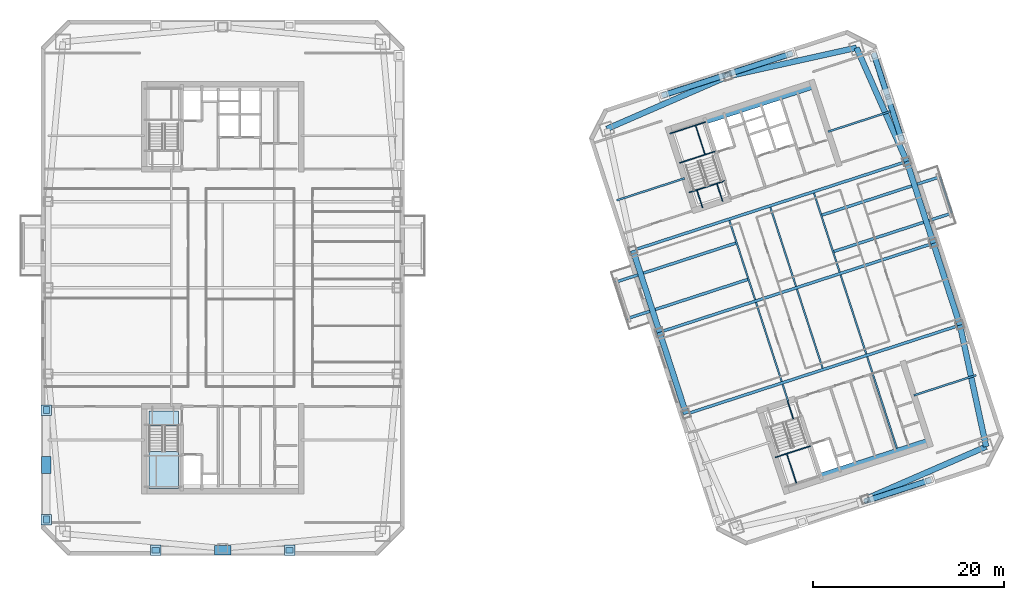
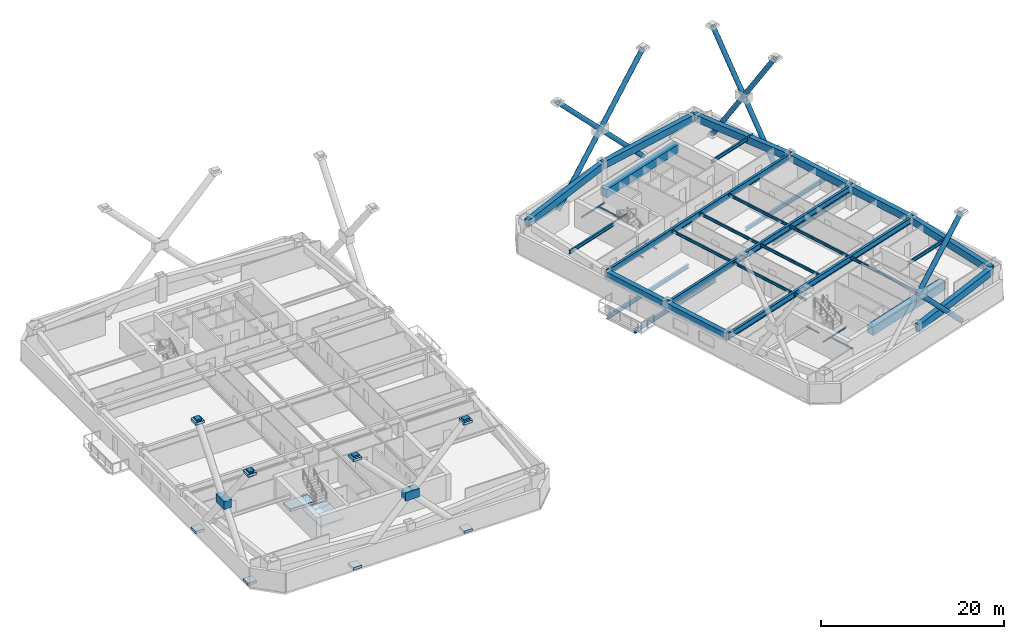
# One storey, part 4 of 17: 39 beams, 14 plates, 10 members, 2 slabs, 1 element without a shape of its own.
"""IFC4 building model written with IfcOpenShell, lengths in metres."""

import ifcopenshell
import ifcopenshell.guid

model = None  # the IFC model being written
_history = None  # IfcOwnerHistory: only IFC2X3 demands one
_inside = {}  # id of a spatial element -> (the spatial element, [elements in it])
_under = {}  # id of a project, library or spatial element -> (it, [spatial elements below it])
_declared = {}  # id of a project -> (the project, [libraries it declares])
_typed = {}  # id of a type object -> (the type object, [elements of that type])
_made_of = {}  # id of a material, layer set ... -> (it, [elements and type objects made of it])


def new_model(schema):
    """Start an empty IFC model of exactly this schema.

    Asked for "IFC4X3", IfcOpenShell would pick the latest addendum, in which some entities
    have other attributes; the version numbers below select the first issue.
    IFC2X3 requires an IfcOwnerHistory on every rooted entity: one is made here for all.
    """
    global model, _history
    if schema == "IFC4X3":
        model = ifcopenshell.file(schema_version=(4, 3, 0, 0))
    else:
        model = ifcopenshell.file(schema=schema)
    _inside.clear()
    _under.clear()
    _declared.clear()
    _typed.clear()
    _made_of.clear()
    _history = None
    if model.schema == "IFC2X3":
        org = make("IfcOrganization", Name="unknown")
        user = make(
            "IfcPersonAndOrganization",
            ThePerson=make("IfcPerson", FamilyName="unknown"),
            TheOrganization=org,
        )
        app = make(
            "IfcApplication",
            ApplicationDeveloper=org,
            Version="unknown",
            ApplicationFullName="unknown",
            ApplicationIdentifier="unknown",
        )
        _history = make(
            "IfcOwnerHistory",
            OwningUser=user,
            OwningApplication=app,
            ChangeAction="ADDED",
            CreationDate=0,
        )
    return model


def make(cls, **values):
    """One entity of the class cls with the attributes given. An attribute that is None is left unset."""
    return model.create_entity(
        cls, **{name: value for name, value in values.items() if value is not None}
    )


def rooted(cls, **values):
    """An entity with a GlobalId (a new one), such as an element, a storey or a relation."""
    return make(cls, GlobalId=ifcopenshell.guid.new(), OwnerHistory=_history, **values)


def si_unit(unit_type, name, prefix=None):
    """IfcSIUnit, for example si_unit("LENGTHUNIT", "METRE", prefix="MILLI")."""
    return make("IfcSIUnit", UnitType=unit_type, Prefix=prefix, Name=name)


def assignment(units):
    """IfcUnitAssignment: the units of a project."""
    return None if units is None else make("IfcUnitAssignment", Units=units)


def point(xyz):
    """IfcCartesianPoint."""
    return None if xyz is None else make("IfcCartesianPoint", Coordinates=xyz)


def direction(xyz):
    """IfcDirection."""
    return None if xyz is None else make("IfcDirection", DirectionRatios=xyz)


def frame(location, z_axis=None, x_axis=None):
    """IfcAxis2Placement3D, a coordinate frame: its origin and axes. An axis left out is left unset."""
    return make(
        "IfcAxis2Placement3D",
        Location=point(location),
        Axis=direction(z_axis),
        RefDirection=direction(x_axis),
    )


def frame_2d(location, x_axis=None):
    """IfcAxis2Placement2D, a coordinate frame in the plane: its origin and x axis."""
    return make(
        "IfcAxis2Placement2D", Location=point(location), RefDirection=direction(x_axis)
    )


def origin():
    """The frame at (0, 0, 0) with its axes left unset."""
    return frame((0.0, 0.0, 0.0))


def origin_2d():
    """The frame at (0, 0) in the plane with its x axis left unset."""
    return frame_2d((0.0, 0.0))


def place(relative_to, where):
    """IfcLocalPlacement: puts the frame where relative to a parent placement (None: the world)."""
    return make(
        "IfcLocalPlacement", PlacementRelTo=relative_to, RelativePlacement=where
    )


def context(
    kind, dimensions, precision=None, world=None, true_north=None, identifier=None
):
    """IfcGeometricRepresentationContext, for example the 3D "Model" context."""
    return make(
        "IfcGeometricRepresentationContext",
        ContextIdentifier=identifier,
        ContextType=kind,
        CoordinateSpaceDimension=dimensions,
        Precision=precision,
        WorldCoordinateSystem=world,
        TrueNorth=true_north,
    )


def subcontext(parent, identifier, kind, view, scale=None):
    """IfcGeometricRepresentationSubContext, for example "Body" below "Model"."""
    return make(
        "IfcGeometricRepresentationSubContext",
        ContextIdentifier=identifier,
        ContextType=kind,
        ParentContext=parent,
        TargetScale=scale,
        TargetView=view,
    )


def project(units=None, contexts=None):
    """IfcProject with its units and contexts."""
    return rooted(
        "IfcProject",
        Name="project",
        RepresentationContexts=contexts,
        UnitsInContext=assignment(units),
    )


def spatial(cls, under=None, at=None, **own):
    """A site, building, storey or space (cls), placed at a placement, below another one or the project."""
    s = rooted(cls, ObjectPlacement=at, **own)
    if under is not None:
        _under.setdefault(under.id(), (under, []))[1].append(s)
    return s


def polyline(points):
    """IfcPolyline through the points."""
    return make("IfcPolyline", Points=[point(p) for p in points])


def profile(cls, at=None, kind="AREA", **sizes):
    """A parametric profile (cls). Its sizes go by their IFC names, for example OverallWidth=200.0."""
    return make(cls, ProfileType=kind, Position=at, **sizes)


def rectangle(**sizes):
    """IfcRectangleProfileDef."""
    return profile("IfcRectangleProfileDef", **sizes)


def hollow_circle(**sizes):
    """IfcCircleHollowProfileDef."""
    return profile("IfcCircleHollowProfileDef", **sizes)


def i_section(**sizes):
    """IfcIShapeProfileDef."""
    return profile("IfcIShapeProfileDef", **sizes)


def outline(outer, holes=None, kind="AREA"):
    """IfcArbitraryClosedProfileDef: a profile drawn as a closed curve; with holes, ...WithVoids."""
    if holes is None:
        return make("IfcArbitraryClosedProfileDef", ProfileType=kind, OuterCurve=outer)
    return make(
        "IfcArbitraryProfileDefWithVoids",
        ProfileType=kind,
        OuterCurve=outer,
        InnerCurves=holes,
    )


def extrude(swept, where, along, depth):
    """IfcExtrudedAreaSolid: the profile swept, set in the frame where, extruded along a direction by depth."""
    return make(
        "IfcExtrudedAreaSolid",
        SweptArea=swept,
        Position=where,
        ExtrudedDirection=direction(along),
        Depth=depth,
    )


def shape(context_of_items, identifier, shape_type, items):
    """IfcShapeRepresentation: the items that make up one representation, for example the "Body"."""
    return make(
        "IfcShapeRepresentation",
        ContextOfItems=context_of_items,
        RepresentationIdentifier=identifier,
        RepresentationType=shape_type,
        Items=items,
    )


def material(Name=None, Category=None):
    """IfcMaterial."""
    return make("IfcMaterial", Name=Name, Category=Category)


def layer(
    of_material, thickness, ventilated=None, Name=None, Category=None, Priority=None
):
    """IfcMaterialLayer: one layer of a wall or slab, of a material (None: an air gap)."""
    return make(
        "IfcMaterialLayer",
        Material=of_material,
        LayerThickness=thickness,
        IsVentilated=ventilated,
        Name=Name,
        Category=Category,
        Priority=Priority,
    )


def layer_set(layers, Name=None):
    """IfcMaterialLayerSet."""
    return make("IfcMaterialLayerSet", MaterialLayers=layers, LayerSetName=Name)


def material_profile(
    of_material, cross_section, Name=None, Category=None, Priority=None
):
    """IfcMaterialProfile: a cross section and its material."""
    return make(
        "IfcMaterialProfile",
        Name=Name,
        Material=of_material,
        Profile=cross_section,
        Priority=Priority,
        Category=Category,
    )


def profile_set(profiles, Name=None, composite=None):
    """IfcMaterialProfileSet."""
    return make(
        "IfcMaterialProfileSet",
        Name=Name,
        MaterialProfiles=profiles,
        CompositeProfile=composite,
    )


def made_of(thing, what):
    """Note that an element or type object is made of a material, layer set ...; save() writes the relation."""
    if what is not None:
        _made_of.setdefault(what.id(), (what, []))[1].append(thing)
    return thing


def type_object(cls, material=None, **own):
    """A type object (cls), such as IfcWallType, which elements share."""
    return made_of(rooted(cls, **own), material)


def element(
    cls,
    number,
    at=None,
    inside=None,
    cuts=None,
    type_object=None,
    material=None,
    context=None,
    identifier="Body",
    shape_type=None,
    held_by="IfcProductDefinitionShape",
    body=None,
    shapes=None,
    **own,
):
    """One element of the class cls, such as IfcWall. Its Tag is "e" and its number.

    at: its placement. inside: the storey or other place that contains it. cuts: it is an
    opening in that element (IfcRelVoidsElement). A single representation is given by context,
    identifier, shape_type and body (its items); several are given by shapes. held_by: the class
    of the entity that holds the representations. save() writes the other relations.
    """
    e = rooted(cls, Tag="e%d" % number, ObjectPlacement=at, **own)
    if body is not None:
        shapes = [shape(context, identifier, shape_type, body)]
    if shapes is not None:
        e.Representation = make(held_by, Representations=shapes)
    if inside is not None:
        _inside.setdefault(inside.id(), (inside, []))[1].append(e)
    if cuts is not None:
        rooted(
            "IfcRelVoidsElement", RelatingBuildingElement=cuts, RelatedOpeningElement=e
        )
    if type_object is not None:
        _typed.setdefault(type_object.id(), (type_object, []))[1].append(e)
    return made_of(e, material)


def aggregate(whole, parts):
    """IfcRelAggregates: a whole, such as a stair, and the parts it consists of."""
    return rooted("IfcRelAggregates", RelatingObject=whole, RelatedObjects=parts)


def save(model, path):
    """Write the relations noted so far, then the file.

    IfcRelAggregates (storeys below a building ...), IfcRelContainedInSpatialStructure (elements
    in a storey), IfcRelDefinesByType, IfcRelAssociatesMaterial and IfcRelDeclares: one each for
    every whole, place, type object, material and project.
    """
    for whole, parts in _under.values():
        aggregate(whole, parts)
    for where, things in _inside.values():
        rooted(
            "IfcRelContainedInSpatialStructure",
            RelatedElements=things,
            RelatingStructure=where,
        )
    for kind, things in _typed.values():
        rooted("IfcRelDefinesByType", RelatedObjects=things, RelatingType=kind)
    for what, things in _made_of.values():
        rooted("IfcRelAssociatesMaterial", RelatedObjects=things, RelatingMaterial=what)
    for by, libraries in _declared.values():
        rooted("IfcRelDeclares", RelatingContext=by, RelatedDefinitions=libraries)
    model.write(path)


model = new_model("IFC4")

# Units and contexts
model_context = context("Model", 3, precision=1e-05, world=origin(), true_north=direction((0.0, 1.0)))
body_context = subcontext(model_context, "Body", "Model", "MODEL_VIEW")
ifc_project = project(units=[si_unit("LENGTHUNIT", "METRE"), si_unit("AREAUNIT", "SQUARE_METRE"), si_unit("VOLUMEUNIT", "CUBIC_METRE"), si_unit("PLANEANGLEUNIT", "RADIAN"), si_unit("MASSUNIT", "GRAM", prefix="KILO")], contexts=[model_context])

# Site, building, storey
site_placement = place(None, origin())
site = spatial("IfcSite", under=ifc_project, at=site_placement, CompositionType="ELEMENT")
building_placement = place(site_placement, origin())
building = spatial("IfcBuilding", under=site, at=building_placement, Name="Qiaolan Cultural Towers", CompositionType="ELEMENT")
storey_placement = place(building_placement, frame((0.0, 0.0, 134.550048828125)))
storey = spatial("IfcBuildingStorey", under=building, at=storey_placement, Name="L35", CompositionType="ELEMENT", Elevation=134.550048828125)

# Beams
ifc_material_1 = material(Name="Steel Q355B", Category="steel")
ifc_material_profile_1 = material_profile(ifc_material_1, i_section(OverallWidth=0.300048828125, OverallDepth=0.488037109375, WebThickness=0.010986328125, FlangeThickness=0.01806640625, at=origin_2d()), Name="HM488x300x11x18")
ifc_profile_set_1 = profile_set([ifc_material_profile_1], Name="Steel Q355B")
beam_type_1 = type_object("IfcBeamType", Name="BM-HM488x300x11x18", PredefinedType="BEAM", material=ifc_profile_set_1)
for number, where, z_axis, x_axis, name in (
    (1, (84.978515625, 34.891845703125, -0.524169921875), (-0.951058928428, -0.309009570496, 0.0), (0.309009570496, -0.951058928428, 0.0), "L35 T2 Tree Balcony Back-Spanned Bracket Beam"),
    (2, (83.742431640625, 38.6962890625, -0.524169921875), (-0.951053553769, -0.309026111943, 0.0), (0.309026111943, -0.951053553769, 0.0), "L35 T2 Tree Balcony Back-Spanned Bracket Beam"),
):
    element("IfcBeam", number, at=place(storey_placement, frame(where, z_axis=z_axis, x_axis=x_axis)), inside=storey, type_object=beam_type_1, Name=name, PredefinedType="BEAM", context=body_context, shape_type="SweptSolid", body=[
        extrude(i_section(OverallWidth=0.300048828125, OverallDepth=0.488037109375, WebThickness=0.010986328125, FlangeThickness=0.01806640625, at=origin_2d()), origin(), (0.0, 0.0, 1.0), 13.349853515625),
    ])
for number, where, z_axis, x_axis, name in (
    (3, (93.823486328125, 37.765869140625, -0.524169921875), (0.951054414178, 0.309023463951, 0.0), (-0.309023463951, 0.951054414178, 0.0), "L35 T2 Tree Balcony Back-Spanned Bracket Beam"),
    (4, (92.58740234375, 41.570068359375, -0.524169921875), (0.951054414178, 0.309023463951, 0.0), (-0.309023463951, 0.951054414178, 0.0), "L35 T2 Tree Balcony Back-Spanned Bracket Beam"),
):
    element("IfcBeam", number, at=place(storey_placement, frame(where, z_axis=z_axis, x_axis=x_axis)), inside=storey, type_object=beam_type_1, Name=name, PredefinedType="BEAM", context=body_context, shape_type="SweptSolid", body=[
        extrude(i_section(OverallWidth=0.300048828125, OverallDepth=0.488037109375, WebThickness=0.010986328125, FlangeThickness=0.01806640625, at=origin_2d()), origin(), (0.0, 0.0, 1.0), 13.0498046875),
    ])
ifc_material_2 = material(Name="Steel Q355B", Category="steel")
ifc_material_profile_2 = material_profile(ifc_material_2, i_section(OverallWidth=0.300048828125, OverallDepth=0.800048828125, WebThickness=0.013916015625, FlangeThickness=0.02587890625, at=origin_2d()), Name="HN800x300x14x26")
ifc_profile_set_2 = profile_set([ifc_material_profile_2], Name="Steel Q355B")
beam_type_2 = type_object("IfcBeamType", Name="BM-HN800x300x14x26", PredefinedType="BEAM", material=ifc_profile_set_2)
beam_1_placement = place(storey_placement, frame((78.4677734375, 20.789794921875, 2.77001953125), z_axis=(0.951055226628, 0.309020963535, 0.0), x_axis=(-0.309020963535, 0.951055226628, 0.0)))
element("IfcBeam", 5, at=beam_1_placement, inside=storey, type_object=beam_type_2, Name="L35 T2 Primary Transverse Girder V1", PredefinedType="BEAM", context=body_context, shape_type="SweptSolid", body=[
    extrude(i_section(OverallWidth=0.300048828125, OverallDepth=0.800048828125, WebThickness=0.013916015625, FlangeThickness=0.02587890625, at=origin_2d()), origin(), (0.0, 0.0, 1.0), 30.099853515625),
])
beam_2_placement = place(storey_placement, frame((75.6865234375, 29.349365234375, 2.77001953125), z_axis=(0.951058384903, 0.309011243331, 0.0), x_axis=(-0.309011243331, 0.951058384903, 0.0)))
element("IfcBeam", 6, at=beam_2_placement, inside=storey, type_object=beam_type_2, Name="L35 T2 Primary Transverse Girder V2", PredefinedType="BEAM", context=body_context, shape_type="SweptSolid", body=[
    extrude(i_section(OverallWidth=0.300048828125, OverallDepth=0.800048828125, WebThickness=0.013916015625, FlangeThickness=0.02587890625, at=origin_2d()), origin(), (0.0, 0.0, 1.0), 30.10009765625),
])
beam_3_placement = place(storey_placement, frame((72.905517578125, 37.90869140625, 2.77001953125), z_axis=(0.951055226628, 0.309020963535, 0.0), x_axis=(-0.309020963535, 0.951055226628, 0.0)))
element("IfcBeam", 7, at=beam_3_placement, inside=storey, type_object=beam_type_2, Name="L35 T2 Primary Transverse Girder V3", PredefinedType="BEAM", context=body_context, shape_type="SweptSolid", body=[
    extrude(i_section(OverallWidth=0.300048828125, OverallDepth=0.800048828125, WebThickness=0.013916015625, FlangeThickness=0.02587890625, at=origin_2d()), origin(), (0.0, 0.0, 1.0), 30.099853515625),
])
ifc_material_3 = material(Name="Steel Q355B", Category="steel")
ifc_material_profile_3 = material_profile(ifc_material_3, i_section(OverallWidth=0.175048828125, OverallDepth=0.35009765625, WebThickness=0.007080078125, FlangeThickness=0.010986328125, at=origin_2d()), Name="HN350x175x7x11")
ifc_profile_set_3 = profile_set([ifc_material_profile_3], Name="Steel Q355B")
beam_type_3 = type_object("IfcBeamType", Name="BM-JST-HN350x175x7x11", PredefinedType="JOIST", material=ifc_profile_set_3)
beam_4_placement = place(storey_placement, frame((106.234619140625, 41.798583984375, -0.524169921875), z_axis=(-0.309022586479, 0.951054699292, 0.0), x_axis=(-0.951054699292, -0.309022586479, 0.0)))
element("IfcBeam", 8, at=beam_4_placement, inside=storey, type_object=beam_type_3, Name="L35 T2 Tree Balcony Outer Edge Beam", PredefinedType="JOIST", context=body_context, shape_type="SweptSolid", body=[
    extrude(i_section(OverallWidth=0.175048828125, OverallDepth=0.35009765625, WebThickness=0.007080078125, FlangeThickness=0.010986328125, at=origin_2d()), origin(), (0.0, 0.0, 1.0), 4.0),
])
beam_5_placement = place(storey_placement, frame((89.119384765625, 22.147705078125, 2.994873046875), z_axis=(-0.308933885266, 0.951083516067, 0.0), x_axis=(-0.951083516067, -0.308933885266, 0.0)))
element("IfcBeam", 9, at=beam_5_placement, inside=storey, type_object=beam_type_3, Name="L35 T2 Secondary Floor Joist U1-1", PredefinedType="JOIST", context=body_context, shape_type="SweptSolid", body=[
    extrude(i_section(OverallWidth=0.175048828125, OverallDepth=0.35009765625, WebThickness=0.007080078125, FlangeThickness=0.010986328125, at=origin_2d()), origin(), (0.0, 0.0, 1.0), 1.85009765625),
])
for number, where, z_axis, x_axis, name in (
    (10, (88.455078125, 24.192626953125, 2.994873046875), (-0.309020714809, 0.951055307445, 0.0), (-0.951055307445, -0.309020714809, 0.0), "L35 T2 Secondary Floor Joist U1-2"),
    (11, (85.673828125, 32.752197265625, 2.994873046875), (-0.309020714809, 0.951055307445, 0.0), (-0.951055307445, -0.309020714809, 0.0), "L35 T2 Secondary Floor Joist U1-3"),
    (12, (92.73486328125, 25.583251953125, 2.994873046875), (-0.309020714809, 0.951055307445, 0.0), (-0.951055307445, -0.309020714809, 0.0), "L35 T2 Secondary Floor Joist U2-2"),
    (13, (89.95361328125, 34.142578125, 2.994873046875), (-0.309020714809, 0.951055307445, 0.0), (-0.951055307445, -0.309020714809, 0.0), "L35 T2 Secondary Floor Joist U2-3"),
):
    element("IfcBeam", number, at=place(storey_placement, frame(where, z_axis=z_axis, x_axis=x_axis)), inside=storey, type_object=beam_type_3, Name=name, PredefinedType="JOIST", context=body_context, shape_type="SweptSolid", body=[
        extrude(i_section(OverallWidth=0.175048828125, OverallDepth=0.35009765625, WebThickness=0.007080078125, FlangeThickness=0.010986328125, at=origin_2d()), origin(), (0.0, 0.0, 1.0), 8.699951171875),
    ])
beam_6_placement = place(storey_placement, frame((100.498291015625, 17.222900390625, 2.994873046875), z_axis=(-0.309025649293, 0.951053704098, 0.0), x_axis=(-0.951053704098, -0.309025649293, 0.0)))
element("IfcBeam", 14, at=beam_6_placement, inside=storey, type_object=beam_type_3, Name="L35 T2 Secondary Floor Joist U3-1", PredefinedType="JOIST", context=body_context, shape_type="SweptSolid", body=[
    extrude(i_section(OverallWidth=0.175048828125, OverallDepth=0.35009765625, WebThickness=0.007080078125, FlangeThickness=0.010986328125, at=origin_2d()), origin(), (0.0, 0.0, 1.0), 10.050048828125),
])
for number, where, z_axis, x_axis, name in (
    (15, (97.2998046875, 27.06640625, 2.994873046875), (-0.309020714809, 0.951055307445, 0.0), (-0.951055307445, -0.309020714809, 0.0), "L35 T2 Secondary Floor Joist U3-2"),
    (16, (94.518798828125, 35.6259765625, 2.994873046875), (-0.309020714809, 0.951055307445, 0.0), (-0.951055307445, -0.309020714809, 0.0), "L35 T2 Secondary Floor Joist U3-3"),
):
    element("IfcBeam", number, at=place(storey_placement, frame(where, z_axis=z_axis, x_axis=x_axis)), inside=storey, type_object=beam_type_3, Name=name, PredefinedType="JOIST", context=body_context, shape_type="SweptSolid", body=[
        extrude(i_section(OverallWidth=0.175048828125, OverallDepth=0.35009765625, WebThickness=0.007080078125, FlangeThickness=0.010986328125, at=origin_2d()), origin(), (0.0, 0.0, 1.0), 8.699951171875),
    ])
ifc_material_4 = material(Name="Steel Q355B", Category="steel")
ifc_material_profile_4 = material_profile(ifc_material_4, i_section(OverallWidth=0.199951171875, OverallDepth=0.449951171875, WebThickness=0.009033203125, FlangeThickness=0.013916015625, at=origin_2d()), Name="HN450x200x9x14")
ifc_profile_set_4 = profile_set([ifc_material_profile_4], Name="Steel Q355B")
beam_type_4 = type_object("IfcBeamType", Name="BM-LNT-HN450x200x9x14", PredefinedType="LINTEL", material=ifc_profile_set_4)
beam_7_placement = place(storey_placement, frame((78.291259765625, 45.44189453125, 2.945068359375), z_axis=(-0.951054777171, -0.309022346796, 0.0), x_axis=(0.309022346796, -0.951054777171, 0.0)))
element("IfcBeam", 17, at=beam_7_placement, inside=storey, type_object=beam_type_4, Name="L35 T2 Core Flank Tie Lintel WN", PredefinedType="LINTEL", context=body_context, shape_type="SweptSolid", body=[
    extrude(i_section(OverallWidth=0.199951171875, OverallDepth=0.449951171875, WebThickness=0.009033203125, FlangeThickness=0.013916015625, at=origin_2d()), origin(), (0.0, 0.0, 1.0), 7.4501953125),
])
for number, where, z_axis, x_axis, name in (
    (18, (102.279296875, 22.74365234375, 2.945068359375), (0.951061565824, 0.30900145309, 0.0), (-0.30900145309, 0.951061565824, 0.0), "L35 T2 Core Flank Tie Lintel ES"),
    (19, (93.31787109375, 50.32421875, 2.945068359375), (0.951061565824, 0.30900145309, 0.0), (-0.30900145309, 0.951061565824, 0.0), "L35 T2 Core Flank Tie Lintel EN"),
):
    element("IfcBeam", number, at=place(storey_placement, frame(where, z_axis=z_axis, x_axis=x_axis)), inside=storey, type_object=beam_type_4, Name=name, PredefinedType="LINTEL", context=body_context, shape_type="SweptSolid", body=[
        extrude(i_section(OverallWidth=0.199951171875, OverallDepth=0.449951171875, WebThickness=0.009033203125, FlangeThickness=0.013916015625, at=origin_2d()), origin(), (0.0, 0.0, 1.0), 6.85009765625),
    ])
ifc_material_5 = material(Name="Concrete C50", Category="concrete")
ifc_material_profile_5 = material_profile(ifc_material_5, rectangle(XDim=0.89990234375, YDim=1.10009765625, at=origin_2d()), Name="RC900x1100")
ifc_profile_set_5 = profile_set([ifc_material_profile_5], Name="Concrete C50")
beam_type_5 = type_object("IfcBeamType", Name="BM-RC900x1100", PredefinedType="BEAM", material=ifc_profile_set_5)
for number, where, z_axis, x_axis, name in (
    (20, (92.572265625, 14.174560546875, 2.619873046875), (0.951056266386, 0.309017763514, 0.0), (-0.309017763514, 0.951056266386, 0.0), "L35 T2 Core Header Girder S"),
    (21, (80.427978515625, 51.551025390625, 2.619873046875), (0.951056266386, 0.309017763514, 0.0), (-0.309017763514, 0.951056266386, 0.0), "L35 T2 Core Header Girder N"),
):
    element("IfcBeam", number, at=place(storey_placement, frame(where, z_axis=z_axis, x_axis=x_axis)), inside=storey, type_object=beam_type_5, Name=name, PredefinedType="BEAM", context=body_context, shape_type="SweptSolid", body=[
        extrude(rectangle(XDim=0.89990234375, YDim=1.10009765625, at=origin_2d()), origin(), (0.0, 0.0, 1.0), 11.880126953125),
    ])
ifc_material_6 = material(Name="Concrete C50", Category="concrete")
ifc_material_profile_6 = material_profile(ifc_material_6, rectangle(XDim=0.60009765625, YDim=0.949951171875, at=origin_2d()), Name="RC600x950")
ifc_profile_set_6 = profile_set([ifc_material_profile_6], Name="Concrete C50")
beam_type_6 = type_object("IfcBeamType", Name="BM-SPD-RC600x950", PredefinedType="SPANDREL", material=ifc_profile_set_6)
beam_8_placement = place(storey_placement, frame((97.1845703125, 11.887939453125, 2.695068359375), z_axis=(0.917117043091, 0.398618024268, 0.0), x_axis=(-0.398618024268, 0.917117043091, 0.0)))
element("IfcBeam", 22, at=beam_8_placement, inside=storey, type_object=beam_type_6, Name="L35 T2 Perimeter Spandrel Beam 2", PredefinedType="SPANDREL", context=body_context, shape_type="SweptSolid", body=[
    extrude(rectangle(XDim=0.60009765625, YDim=0.949951171875, at=origin_2d()), origin(), (0.0, 0.0, 1.0), 13.79345703125),
])
beam_9_placement = place(storey_placement, frame((109.834716796875, 17.38623046875, 2.695068359375), z_axis=(-0.210832241173, 0.977522258612, 0.0), x_axis=(-0.977522258612, -0.210832241173, 0.0)))
element("IfcBeam", 23, at=beam_9_placement, inside=storey, type_object=beam_type_6, Name="L35 T2 Perimeter Spandrel Beam 3", PredefinedType="SPANDREL", context=body_context, shape_type="SweptSolid", body=[
    extrude(rectangle(XDim=0.60009765625, YDim=0.949951171875, at=origin_2d()), origin(), (0.0, 0.0, 1.0), 12.997314453125),
])
beam_10_placement = place(storey_placement, frame((107.094482421875, 30.09130859375, 2.695068359375), z_axis=(-0.309008170129, 0.951059383421, 0.0), x_axis=(-0.951059383421, -0.309008170129, 0.0)))
element("IfcBeam", 24, at=beam_10_placement, inside=storey, type_object=beam_type_6, Name="L35 T2 Perimeter Spandrel Beam 4", PredefinedType="SPANDREL", context=body_context, shape_type="SweptSolid", body=[
    extrude(rectangle(XDim=0.60009765625, YDim=0.949951171875, at=origin_2d()), origin(), (0.0, 0.0, 1.0), 8.999755859375),
])
beam_11_placement = place(storey_placement, frame((104.3134765625, 38.650634765625, 2.695068359375), z_axis=(-0.309024734286, 0.951054001411, 0.0), x_axis=(-0.951054001411, -0.309024734286, 0.0)))
element("IfcBeam", 25, at=beam_11_placement, inside=storey, type_object=beam_type_6, Name="L35 T2 Perimeter Spandrel Beam 5", PredefinedType="SPANDREL", context=body_context, shape_type="SweptSolid", body=[
    extrude(rectangle(XDim=0.60009765625, YDim=0.949951171875, at=origin_2d()), origin(), (0.0, 0.0, 1.0), 9.0),
])
beam_12_placement = place(storey_placement, frame((101.5322265625, 47.210205078125, 2.695068359375), z_axis=(-0.404011070002, 0.914754095545, 0.0), x_axis=(-0.914754095545, -0.404011070002, 0.0)))
element("IfcBeam", 26, at=beam_12_placement, inside=storey, type_object=beam_type_6, Name="L35 T2 Perimeter Spandrel Beam 6", PredefinedType="SPANDREL", context=body_context, shape_type="SweptSolid", body=[
    extrude(rectangle(XDim=0.60009765625, YDim=0.949951171875, at=origin_2d()), origin(), (0.0, 0.0, 1.0), 12.9970703125),
])
beam_13_placement = place(storey_placement, frame((96.28125, 59.099365234375, 2.695068359375), z_axis=(-0.976265293399, -0.216578108094, 0.0), x_axis=(0.216578108094, -0.976265293399, 0.0)))
element("IfcBeam", 27, at=beam_13_placement, inside=storey, type_object=beam_type_6, Name="L35 T2 Perimeter Spandrel Beam 7", PredefinedType="SPANDREL", context=body_context, shape_type="SweptSolid", body=[
    extrude(rectangle(XDim=0.60009765625, YDim=0.949951171875, at=origin_2d()), origin(), (0.0, 0.0, 1.0), 13.793212890625),
])
beam_14_placement = place(storey_placement, frame((82.8154296875, 56.112060546875, 2.695068359375), z_axis=(-0.917117043091, -0.398618024268, 0.0), x_axis=(0.398618024268, -0.917117043091, 0.0)))
element("IfcBeam", 28, at=beam_14_placement, inside=storey, type_object=beam_type_6, Name="L35 T2 Perimeter Spandrel Beam 8", PredefinedType="SPANDREL", context=body_context, shape_type="SweptSolid", body=[
    extrude(rectangle(XDim=0.60009765625, YDim=0.949951171875, at=origin_2d()), origin(), (0.0, 0.0, 1.0), 13.79345703125),
])
beam_15_placement = place(storey_placement, frame((72.905517578125, 37.90869140625, 2.695068359375), z_axis=(0.309008170129, -0.951059383421, 0.0), x_axis=(0.951059383421, 0.309008170129, 0.0)))
element("IfcBeam", 29, at=beam_15_placement, inside=storey, type_object=beam_type_6, Name="L35 T2 Perimeter Spandrel Beam 10", PredefinedType="SPANDREL", context=body_context, shape_type="SweptSolid", body=[
    extrude(rectangle(XDim=0.60009765625, YDim=0.949951171875, at=origin_2d()), origin(), (0.0, 0.0, 1.0), 8.999755859375),
])
beam_16_placement = place(storey_placement, frame((75.6865234375, 29.349365234375, 2.695068359375), z_axis=(0.309024734286, -0.951054001411, 0.0), x_axis=(0.951054001411, 0.309024734286, 0.0)))
element("IfcBeam", 30, at=beam_16_placement, inside=storey, type_object=beam_type_6, Name="L35 T2 Perimeter Spandrel Beam 11", PredefinedType="SPANDREL", context=body_context, shape_type="SweptSolid", body=[
    extrude(rectangle(XDim=0.60009765625, YDim=0.949951171875, at=origin_2d()), origin(), (0.0, 0.0, 1.0), 9.0),
])
ifc_material_7 = material(Name="Steel Q355B", Category="steel")
ifc_material_profile_7 = material_profile(ifc_material_7, i_section(OverallWidth=0.10009765625, OverallDepth=0.199951171875, WebThickness=0.005615234375, FlangeThickness=0.008056640625, at=origin_2d()), Name="HN200x100x5.5x8")
ifc_profile_set_7 = profile_set([ifc_material_profile_7], Name="Steel Q355B")
beam_type_7 = type_object("IfcBeamType", Name="BM-STTRIM-200", PredefinedType="BEAM", material=ifc_profile_set_7)
beam_17_placement = place(storey_placement, frame((89.07177734375, 22.13232421875, -0.4599609375), z_axis=(0.309083226701, -0.951034993558, 0.0), x_axis=(0.951034993558, 0.309083226701, 0.0)))
element("IfcBeam", 31, at=beam_17_placement, inside=storey, type_object=beam_type_7, Name="L35 ST-E1 Floor Landing Stringer 2", PredefinedType="BEAM", context=body_context, shape_type="SweptSolid", body=[
    extrude(i_section(OverallWidth=0.10009765625, OverallDepth=0.199951171875, WebThickness=0.005615234375, FlangeThickness=0.008056640625, at=origin_2d()), origin(), (0.0, 0.0, 1.0), 1.93994140625),
])
beam_18_placement = place(storey_placement, frame((87.774658203125, 16.255126953125, 1.425048828125), z_axis=(0.951047798727, 0.309043823005, 0.0), x_axis=(-0.309043823005, 0.951047798727, 0.0)))
element("IfcBeam", 32, at=beam_18_placement, inside=storey, type_object=beam_type_7, Name="L35 ST-E1 Stair Landing Support Beam 1-1", PredefinedType="BEAM", context=body_context, shape_type="SweptSolid", body=[
    extrude(i_section(OverallWidth=0.10009765625, OverallDepth=0.199951171875, WebThickness=0.005615234375, FlangeThickness=0.008056640625, at=origin_2d()), origin(), (0.0, 0.0, 1.0), 3.919921875),
])
beam_19_placement = place(storey_placement, frame((88.982421875, 16.6474609375, 1.425048828125), z_axis=(0.309033108495, -0.951051280349, 0.0), x_axis=(0.951051280349, 0.309033108495, 0.0)))
element("IfcBeam", 33, at=beam_19_placement, inside=storey, type_object=beam_type_7, Name="L35 ST-E1 Stair Landing Trimmer 1", PredefinedType="BEAM", context=body_context, shape_type="SweptSolid", body=[
    extrude(i_section(OverallWidth=0.10009765625, OverallDepth=0.199951171875, WebThickness=0.005615234375, FlangeThickness=0.008056640625, at=origin_2d()), origin(), (0.0, 0.0, 1.0), 3.231201171875),
])
beam_20_placement = place(storey_placement, frame((78.773193359375, 43.958251953125, -0.4599609375), z_axis=(0.951072048947, 0.3089691857, 0.0), x_axis=(-0.3089691857, 0.951072048947, 0.0)))
element("IfcBeam", 34, at=beam_20_placement, inside=storey, type_object=beam_type_7, Name="L35 ST-E2 Floor Landing Header Beam", PredefinedType="BEAM", context=body_context, shape_type="SweptSolid", body=[
    extrude(i_section(OverallWidth=0.10009765625, OverallDepth=0.199951171875, WebThickness=0.005615234375, FlangeThickness=0.008056640625, at=origin_2d()), origin(), (0.0, 0.0, 1.0), 3.920166015625),
])
for number, where, z_axis, x_axis, name in (
    (35, (80.18115234375, 42.375732421875, -0.4599609375), (-0.308969394428, 0.951071981138, 0.0), (-0.951071981138, -0.308969394428, 0.0), "L35 ST-E2 Floor Landing Stringer 1"),
    (36, (82.2734375, 43.0556640625, -0.4599609375), (-0.308969394428, 0.951071981138, 0.0), (-0.951071981138, -0.308969394428, 0.0), "L35 ST-E2 Floor Landing Stringer 2"),
):
    element("IfcBeam", number, at=place(storey_placement, frame(where, z_axis=z_axis, x_axis=x_axis)), inside=storey, type_object=beam_type_7, Name=name, PredefinedType="BEAM", context=body_context, shape_type="SweptSolid", body=[
        extrude(i_section(OverallWidth=0.10009765625, OverallDepth=0.199951171875, WebThickness=0.005615234375, FlangeThickness=0.008056640625, at=origin_2d()), origin(), (0.0, 0.0, 1.0), 1.93994140625),
    ])
for number, where, z_axis, x_axis, name in (
    (37, (77.769287109375, 47.0478515625, 1.425048828125), (0.951053746643, 0.309025518358, 0.0), (-0.309025518358, 0.951053746643, 0.0), "L35 ST-E2 Stair Landing Support Beam 1-1"),
    (38, (76.770751953125, 50.12109375, 1.425048828125), (0.951072048947, 0.3089691857, 0.0), (-0.3089691857, 0.951072048947, 0.0), "L35 ST-E2 Stair Landing Support Beam 1-2"),
):
    element("IfcBeam", number, at=place(storey_placement, frame(where, z_axis=z_axis, x_axis=x_axis)), inside=storey, type_object=beam_type_7, Name=name, PredefinedType="BEAM", context=body_context, shape_type="SweptSolid", body=[
        extrude(i_section(OverallWidth=0.10009765625, OverallDepth=0.199951171875, WebThickness=0.005615234375, FlangeThickness=0.008056640625, at=origin_2d()), origin(), (0.0, 0.0, 1.0), 3.920166015625),
    ])
beam_21_placement = place(storey_placement, frame((80.44189453125, 47.916259765625, 1.425048828125), z_axis=(-0.309033108495, 0.951051280349, 0.0), x_axis=(-0.951051280349, -0.309033108495, 0.0)))
element("IfcBeam", 39, at=beam_21_placement, inside=storey, type_object=beam_type_7, Name="L35 ST-E2 Stair Landing Trimmer 1", PredefinedType="BEAM", context=body_context, shape_type="SweptSolid", body=[
    extrude(i_section(OverallWidth=0.10009765625, OverallDepth=0.199951171875, WebThickness=0.005615234375, FlangeThickness=0.008056640625, at=origin_2d()), origin(), (0.0, 0.0, 1.0), 3.231201171875),
])

# Members
ifc_material_8 = material(Name="Steel Q355B", Category="steel")
ifc_material_profile_8 = material_profile(ifc_material_8, hollow_circle(Radius=0.300048828125, WallThickness=0.030029296875, at=origin_2d()), Name="CHS600x30")
ifc_profile_set_8 = profile_set([ifc_material_profile_8], Name="Steel Q355B")
member_type = type_object("IfcMemberType", Name="MBR-BRC-CHS600x30", PredefinedType="BRACE", material=ifc_profile_set_8)
for number, where, z_axis, x_axis, name in (
    (40, (100.980712890625, 49.554443359375, 0.14990234375), (-0.166193246914, 0.511497049821, 0.843060242631), (-0.951057728941, -0.309013262209, 0.0), "T2 EAST Perimeter Frame Diagonal E-Z3-M1-D1A"),
    (41, (99.551513671875, 53.953125, 7.39990234375), (-0.166193246914, 0.511497049821, 0.843060242631), (-0.951057728941, -0.309013262209, 0.0), "T2 EAST Perimeter Frame Diagonal E-Z3-M1-D1B"),
    (42, (98.122314453125, 58.351806640625, 0.14990234375), (0.166193246914, -0.511497049821, 0.843060242631), (0.951057728941, 0.309013262209, 0.0), "T2 EAST Perimeter Frame Diagonal E-Z3-M1-D2A"),
    (43, (99.551513671875, 53.953125, 7.39990234375), (0.166193246914, -0.511497049821, 0.843060242631), (0.951057728941, 0.309013262209, 0.0), "T2 EAST Perimeter Frame Diagonal E-Z3-M1-D2B"),
):
    element("IfcMember", number, at=place(storey_placement, frame(where, z_axis=z_axis, x_axis=x_axis)), inside=storey, type_object=member_type, Name=name, PredefinedType="BRACE", context=body_context, shape_type="SweptSolid", body=[
        extrude(hollow_circle(Radius=0.300048828125, WallThickness=0.030029296875, at=origin_2d()), origin(), (0.0, 0.0, 1.0), 8.599609375),
    ])
for number, where, z_axis, x_axis, name in (
    (44, (97.246337890625, 11.69775390625, 7.39990234375), (0.660603302436, 0.214637326619, 0.719398425653), (-0.309009574742, 0.951058927048, 0.0), "T2 SOUTH Perimeter Frame Diagonal E-Z3-M1-D1B"),
    (45, (103.90380859375, 13.86083984375, 0.14990234375), (-0.660603302436, -0.214637326619, 0.719398425653), (0.309009574742, -0.951058927048, 0.0), "T2 SOUTH Perimeter Frame Diagonal E-Z3-M1-D2A"),
    (46, (76.09619140625, 54.13916015625, 0.14990234375), (0.660603302436, 0.214637326619, 0.719398425653), (-0.309009574742, 0.951058927048, 0.0), "T2 NORTH Perimeter Frame Diagonal E-Z3-M1-D1A"),
):
    element("IfcMember", number, at=place(storey_placement, frame(where, z_axis=z_axis, x_axis=x_axis)), inside=storey, type_object=member_type, Name=name, PredefinedType="BRACE", context=body_context, shape_type="SweptSolid", body=[
        extrude(hollow_circle(Radius=0.300048828125, WallThickness=0.030029296875, at=origin_2d()), origin(), (0.0, 0.0, 1.0), 10.077880859375),
    ])
for number, where, z_axis, x_axis, name in (
    (47, (82.753662109375, 56.30224609375, 7.39990234375), (0.660589648575, 0.214640761566, 0.71940993854), (-0.309019824916, 0.951055596592, 0.0), "T2 NORTH Perimeter Frame Diagonal E-Z3-M1-D1B"),
    (48, (89.410888671875, 58.46533203125, 0.14990234375), (-0.660589648575, -0.214640761566, 0.71940993854), (0.309019824916, -0.951055596592, 0.0), "T2 NORTH Perimeter Frame Diagonal E-Z3-M1-D2A"),
):
    element("IfcMember", number, at=place(storey_placement, frame(where, z_axis=z_axis, x_axis=x_axis)), inside=storey, type_object=member_type, Name=name, PredefinedType="BRACE", context=body_context, shape_type="SweptSolid", body=[
        extrude(hollow_circle(Radius=0.300048828125, WallThickness=0.030029296875, at=origin_2d()), origin(), (0.0, 0.0, 1.0), 10.07763671875),
    ])
member_placement = place(storey_placement, frame((82.753662109375, 56.30224609375, 7.39990234375), z_axis=(-0.660603302436, -0.214637326619, 0.719398425653), x_axis=(0.309009574742, -0.951058927048, 0.0)))
element("IfcMember", 49, at=member_placement, inside=storey, type_object=member_type, Name="T2 NORTH Perimeter Frame Diagonal E-Z3-M1-D2B", PredefinedType="BRACE", context=body_context, shape_type="SweptSolid", body=[
    extrude(hollow_circle(Radius=0.300048828125, WallThickness=0.030029296875, at=origin_2d()), origin(), (0.0, 0.0, 1.0), 10.077880859375),
])

# Plates
ifc_material_9 = material(Name="Steel Q355B", Category="steel")
ifc_layer_1 = layer(ifc_material_9, 0.035888671875)
ifc_layer_set_1 = layer_set([ifc_layer_1], Name="Steel Q355B")
plate_type_1 = type_object("IfcPlateType", Name="PL-CONN-36", PredefinedType="USERDEFINED", material=ifc_layer_set_1)
for number, where, z_axis, x_axis, name in (
    (50, (11.550048828125, 21.199951171875, 14.27978515625), (0.0, 0.0, 1.0), (0.0, 1.0, 0.0), "L35 Brace End Connection Gusset Plate GP-02-0284"),
    (51, (11.550048828125, 9.75, 14.27978515625), (0.0, 0.0, 1.0), (0.0, 1.0, 0.0), "L35 Brace End Connection Gusset Plate GP-02-0285"),
    (52, (37.0, 6.550048828125, 14.27978515625), (0.0, 0.0, 1.0), (1.0, 0.0, 0.0), "L35 Brace End Connection Gusset Plate GP-02-0288"),
    (53, (23.0, 6.550048828125, 14.27978515625), (0.0, 0.0, 1.0), (1.0, 0.0, 0.0), "L35 Brace End Connection Gusset Plate GP-02-0289"),
):
    element("IfcPlate", number, at=place(storey_placement, frame(where, z_axis=z_axis, x_axis=x_axis)), inside=storey, type_object=plate_type_1, Name=name, ObjectType="GUSSET_PLATE", PredefinedType="USERDEFINED", context=body_context, shape_type="SweptSolid", body=[
        extrude(rectangle(XDim=0.739990234375, YDim=0.6201171875, at=origin_2d()), origin(), (0.0, 0.0, 1.0), 0.739990234375),
    ])
ifc_material_10 = material(Name="Steel Q355B", Category="steel")
ifc_layer_2 = layer(ifc_material_10, 0.030029296875)
ifc_layer_set_2 = layer_set([ifc_layer_2], Name="Steel Q355B")
plate_type_2 = type_object("IfcPlateType", Name="PL-ENDCAP-30", PredefinedType="USERDEFINED", material=ifc_layer_set_2)
for number, where, z_axis, x_axis, name in (
    (54, (11.550048828125, 9.75, -0.025146484375), (0.0, 0.0, 1.0), (0.0, 1.0, 0.0), "Hollow Brace End Seal Cap Plate CP-01"),
    (55, (11.550048828125, 21.199951171875, -0.025146484375), (0.0, 0.0, 1.0), (0.0, 1.0, 0.0), "Hollow Brace End Seal Cap Plate CP-01"),
    (56, (11.550048828125, 9.75, 14.474853515625), (0.0, 0.0, 1.0), (0.0, 1.0, 0.0), "Hollow Brace End Seal Cap Plate CP-01"),
    (57, (11.550048828125, 21.199951171875, 14.474853515625), (0.0, 0.0, 1.0), (0.0, 1.0, 0.0), "Hollow Brace End Seal Cap Plate CP-01"),
    (58, (23.0, 6.550048828125, -0.025146484375), (0.0, 0.0, 1.0), (1.0, 0.0, 0.0), "Hollow Brace End Seal Cap Plate CP-01"),
    (59, (37.0, 6.550048828125, -0.025146484375), (0.0, 0.0, 1.0), (1.0, 0.0, 0.0), "Hollow Brace End Seal Cap Plate CP-01"),
    (60, (23.0, 6.550048828125, 14.474853515625), (0.0, 0.0, 1.0), (1.0, 0.0, 0.0), "Hollow Brace End Seal Cap Plate CP-01"),
    (61, (37.0, 6.550048828125, 14.474853515625), (0.0, 0.0, 1.0), (1.0, 0.0, 0.0), "Hollow Brace End Seal Cap Plate CP-01"),
):
    element("IfcPlate", number, at=place(storey_placement, frame(where, z_axis=z_axis, x_axis=x_axis)), inside=storey, type_object=plate_type_2, Name=name, ObjectType="BASE_PLATE", PredefinedType="USERDEFINED", context=body_context, shape_type="SweptSolid", body=[
        extrude(rectangle(XDim=1.10009765625, YDim=1.10009765625, at=origin_2d()), origin(), (0.0, 0.0, 1.0), 0.35009765625),
    ])
ifc_material_11 = material(Name="Steel Q390GJB", Category="steel")
ifc_layer_3 = layer(ifc_material_11, 0.0439453125)
ifc_layer_set_3 = layer_set([ifc_layer_3], Name="Steel Q390GJB")
plate_type_3 = type_object("IfcPlateType", Name="PL-NODE-ND06", PredefinedType="USERDEFINED", material=ifc_layer_set_3)
plate_1_placement = place(storey_placement, frame((11.550048828125, 15.47509765625, 6.849853515625), z_axis=(0.0, 0.0, 1.0), x_axis=(0.0, 1.0, 0.0)))
element("IfcPlate", 62, at=plate_1_placement, inside=storey, type_object=plate_type_3, Name="Perimeter Frame Gusset Node Assembly ND-06", ObjectType="GUSSET_PLATE", PredefinedType="USERDEFINED", context=body_context, shape_type="SweptSolid", body=[
    extrude(rectangle(XDim=1.760009765625, YDim=0.9599609375, at=origin_2d()), origin(), (0.0, 0.0, 1.0), 1.10009765625),
])
ifc_material_12 = material(Name="Steel Q390GJB", Category="steel")
ifc_layer_4 = layer(ifc_material_12, 0.0400390625)
ifc_layer_set_4 = layer_set([ifc_layer_4], Name="Steel Q390GJB")
plate_type_4 = type_object("IfcPlateType", Name="PL-NODE-ND08", PredefinedType="USERDEFINED", material=ifc_layer_set_4)
plate_2_placement = place(storey_placement, frame((30.0, 6.550048828125, 6.849853515625), z_axis=(0.0, 0.0, 1.0), x_axis=(1.0, 0.0, 0.0)))
element("IfcPlate", 63, at=plate_2_placement, inside=storey, type_object=plate_type_4, Name="Perimeter Frame Gusset Node Assembly ND-08", ObjectType="GUSSET_PLATE", PredefinedType="USERDEFINED", context=body_context, shape_type="SweptSolid", body=[
    extrude(rectangle(XDim=1.760009765625, YDim=0.9599609375, at=origin_2d()), origin(), (0.0, 0.0, 1.0), 1.10009765625),
])

# Stair, slab
ifc_material_13 = material(Name="Concrete C45", Category="concrete")
stair_type = type_object("IfcStairType", Name="STR-CORE-1500", PredefinedType="HALF_TURN_STAIR", material=ifc_material_13)
stair_placement = place(storey_placement, origin())
stair = element("IfcStair", 64, at=stair_placement, inside=storey, type_object=stair_type, Name="L35 Smokeproof Exit Stair ST-W1", PredefinedType="HALF_TURN_STAIR")
ifc_material_14 = material(Name="Concrete C45", Category="concrete")
ifc_layer_5 = layer(ifc_material_14, 0.199951171875)
ifc_layer_set_5 = layer_set([ifc_layer_5], Name="Concrete C45")
slab_type_1 = type_object("IfcSlabType", Name="SL-STAIR-LAND", PredefinedType="LANDING", material=ifc_layer_set_5)
slab_1_placement = place(storey_placement, frame((0.0, 0.0, 1.52490234375)))
slab_1 = element("IfcSlab", 65, at=slab_1_placement, type_object=slab_type_1, Name="ST-W1 landing 1", PredefinedType="LANDING", context=body_context, shape_type="SweptSolid", body=[
    extrude(outline(polyline([(22.300048828125, 16.851318359375), (22.300048828125, 13.0), (25.3798828125, 13.0), (25.3798828125, 16.851318359375), (22.300048828125, 16.851318359375)])), origin(), (0.0, 0.0, 1.0), 0.199951171875),
])
aggregate(stair, [slab_1])

# Slab
ifc_material_15 = material(Name="Concrete C40", Category="concrete")
ifc_layer_6 = layer(ifc_material_15, 0.360107421875)
ifc_layer_set_6 = layer_set([ifc_layer_6], Name="Concrete C40")
slab_type_2 = type_object("IfcSlabType", Name="SL-STFLR-360", PredefinedType="LANDING", material=ifc_layer_set_6)
slab_2_placement = place(storey_placement, frame((0.0, 0.0, -0.360107421875)))
element("IfcSlab", 66, at=slab_2_placement, inside=storey, type_object=slab_type_2, Name="L35 ST-W1 Stair Floor Landing Slab", PredefinedType="LANDING", context=body_context, shape_type="SweptSolid", body=[
    extrude(outline(polyline([(22.302001953125, 21.097900390625), (22.302001953125, 19.548583984375), (25.3779296875, 19.548583984375), (25.3779296875, 21.097900390625), (22.302001953125, 21.097900390625)])), origin(), (0.0, 0.0, 1.0), 0.360107421875),
])

save(model, "model.ifc")
